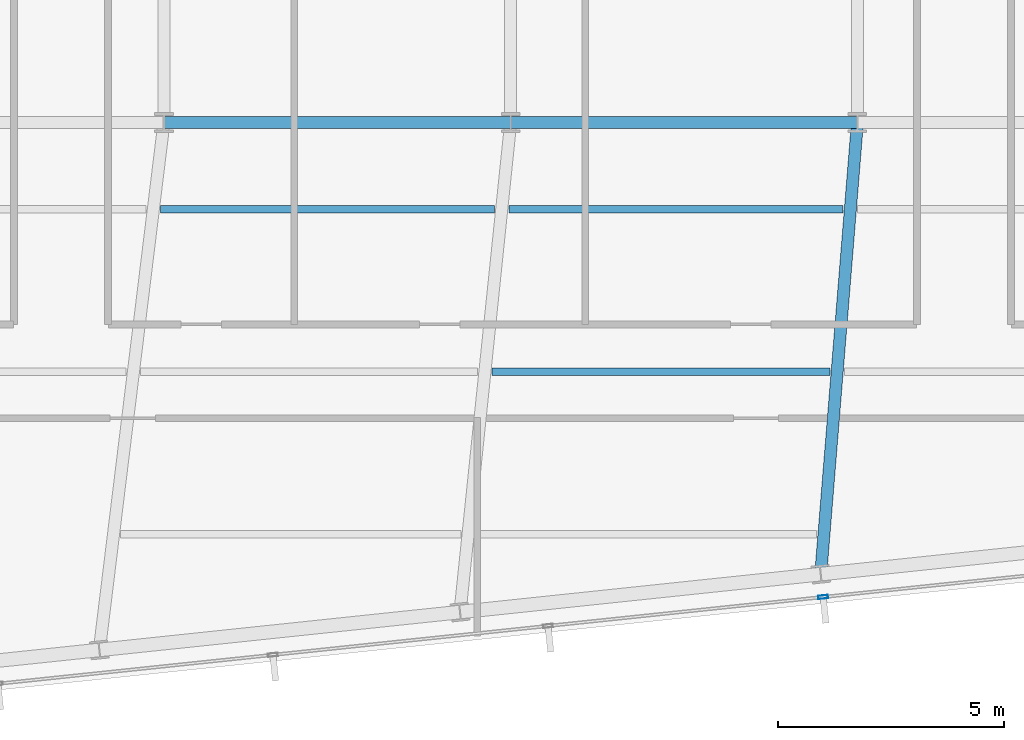
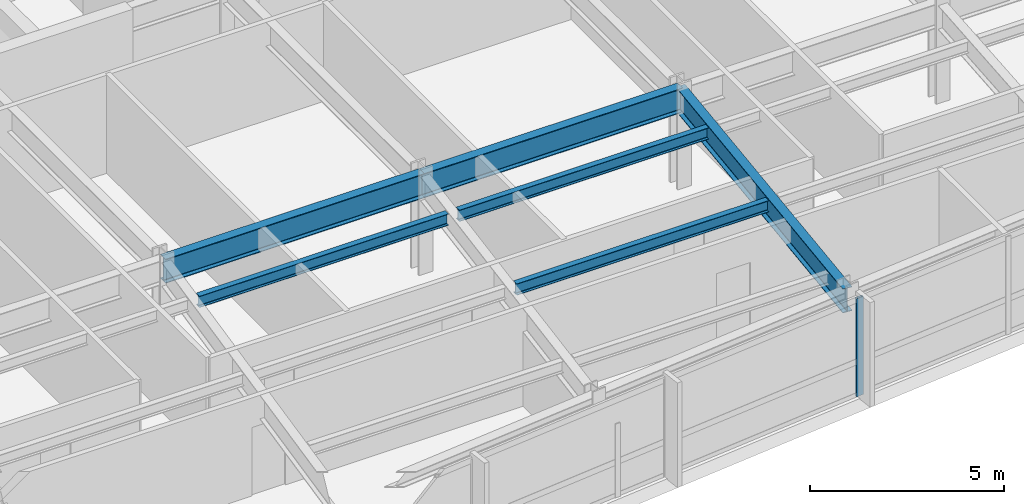
# One storey, part 5 of 26: 6 beams, 1 member, 1 element without a shape of its own.
"""IFC4 building model written with IfcOpenShell, lengths in metres."""

from ifc_helpers import new_model, si_unit, direction, frame, origin, origin_2d, place, context, subcontext, project, spatial, hollow_rectangle, i_section, extrude, material, material_profile, profile_set, type_object, element, aggregate, save


model = new_model("IFC4")

# Units and contexts
model_context = context("Model", 3, precision=1e-05, world=origin(), true_north=direction((0.0, 1.0)))
body_context = subcontext(model_context, "Body", "Model", "MODEL_VIEW")
ifc_project = project(units=[si_unit("LENGTHUNIT", "METRE"), si_unit("AREAUNIT", "SQUARE_METRE"), si_unit("VOLUMEUNIT", "CUBIC_METRE"), si_unit("PLANEANGLEUNIT", "RADIAN"), si_unit("MASSUNIT", "GRAM", prefix="KILO")], contexts=[model_context])

# Site, building, storey
site_placement = place(None, origin())
site = spatial("IfcSite", under=ifc_project, at=site_placement, CompositionType="ELEMENT")
building_placement = place(site_placement, origin())
building = spatial("IfcBuilding", under=site, at=building_placement, Name="Yelkora Congress Tower", CompositionType="ELEMENT")
storey_placement = place(building_placement, frame((0.0, 0.0, 204.5)))
storey = spatial("IfcBuildingStorey", under=building, at=storey_placement, Name="L56", CompositionType="ELEMENT", Elevation=204.5)

# Beams
ifc_material_1 = material(Name="Steel S355J2", Category="steel")
ifc_material_profile_1 = material_profile(ifc_material_1, i_section(OverallWidth=0.26708984375, OverallDepth=0.761962890625, WebThickness=0.014404296875, FlangeThickness=0.021484375, FilletRadius=0.01708984375, at=origin_2d()), Name="IPE 750x173")
ifc_profile_set_1 = profile_set([ifc_material_profile_1], Name="Steel S355J2")
beam_type_1 = type_object("IfcBeamType", Name="BM-GIRD-IPE750", PredefinedType="BEAM", material=ifc_profile_set_1)
beam_1_placement = place(storey_placement, frame((30.719970703125, 25.199951171875, 2.698974609375), z_axis=(1.0, 0.0, 0.0), x_axis=(0.0, 1.0, 0.0)))
element("IfcBeam", 1, at=beam_1_placement, inside=storey, type_object=beam_type_1, Name="L56 Spine Grid D Girder 3", PredefinedType="BEAM", context=body_context, shape_type="SweptSolid", body=[
    extrude(i_section(OverallWidth=0.26708984375, OverallDepth=0.761962890625, WebThickness=0.014404296875, FlangeThickness=0.021484375, FilletRadius=0.01708984375, at=origin_2d()), origin(), (0.0, 0.0, 1.0), 7.679931640625),
])
beam_2_placement = place(storey_placement, frame((38.39990234375, 25.199951171875, 2.698974609375), z_axis=(1.0, 0.0, 0.0), x_axis=(0.0, 1.0, 0.0)))
element("IfcBeam", 2, at=beam_2_placement, inside=storey, type_object=beam_type_1, Name="L56 Spine Grid D Girder 4", PredefinedType="BEAM", context=body_context, shape_type="SweptSolid", body=[
    extrude(i_section(OverallWidth=0.26708984375, OverallDepth=0.761962890625, WebThickness=0.014404296875, FlangeThickness=0.021484375, FilletRadius=0.01708984375, at=origin_2d()), origin(), (0.0, 0.0, 1.0), 7.68017578125),
])
beam_3_placement = place(storey_placement, frame((45.26708984375, 15.197509765625, 2.698974609375), z_axis=(0.081011831965, 0.996713139816, 0.0), x_axis=(-0.996713139816, 0.081011831965, 0.0)))
element("IfcBeam", 3, at=beam_3_placement, inside=storey, type_object=beam_type_1, Name="L56 Primary Frame Girder S04", PredefinedType="BEAM", context=body_context, shape_type="SweptSolid", body=[
    extrude(i_section(OverallWidth=0.26708984375, OverallDepth=0.761962890625, WebThickness=0.014404296875, FlangeThickness=0.021484375, FilletRadius=0.01708984375, at=origin_2d()), origin(), (0.0, 0.0, 1.0), 10.035400390625),
])
ifc_material_profile_2 = material_profile(ifc_material_1, i_section(OverallWidth=0.169921875, OverallDepth=0.360107421875, WebThickness=0.008056640625, FlangeThickness=0.0126953125, FilletRadius=0.01806640625, at=origin_2d()), Name="IPE 360")
ifc_profile_set_2 = profile_set([ifc_material_profile_2], Name="Steel S355J2")
beam_type_2 = type_object("IfcBeamType", Name="BM-JOIST-IPE360", PredefinedType="JOIST", material=ifc_profile_set_2)
beam_4_placement = place(storey_placement, frame((37.988525390625, 19.678466796875, 2.89990234375), z_axis=(1.0, 0.0, 0.0), x_axis=(0.0, 1.0, 0.0)))
element("IfcBeam", 4, at=beam_4_placement, inside=storey, type_object=beam_type_2, Name="L56 Composite Floor Joist 5", PredefinedType="JOIST", context=body_context, shape_type="SweptSolid", body=[
    extrude(i_section(OverallWidth=0.169921875, OverallDepth=0.360107421875, WebThickness=0.008056640625, FlangeThickness=0.0126953125, FilletRadius=0.01806640625, at=origin_2d()), origin(), (0.0, 0.0, 1.0), 7.482666015625),
])
beam_5_placement = place(storey_placement, frame((30.64453125, 23.278564453125, 2.89990234375), z_axis=(1.0, 0.0, 0.0), x_axis=(0.0, 1.0, 0.0)))
element("IfcBeam", 5, at=beam_5_placement, inside=storey, type_object=beam_type_2, Name="L56 Composite Floor Joist 10", PredefinedType="JOIST", context=body_context, shape_type="SweptSolid", body=[
    extrude(i_section(OverallWidth=0.169921875, OverallDepth=0.360107421875, WebThickness=0.008056640625, FlangeThickness=0.0126953125, FilletRadius=0.01806640625, at=origin_2d()), origin(), (0.0, 0.0, 1.0), 7.396484375),
])
beam_6_placement = place(storey_placement, frame((38.361083984375, 23.278564453125, 2.89990234375), z_axis=(1.0, 0.0, 0.0), x_axis=(0.0, 1.0, 0.0)))
element("IfcBeam", 6, at=beam_6_placement, inside=storey, type_object=beam_type_2, Name="L56 Composite Floor Joist 11", PredefinedType="JOIST", context=body_context, shape_type="SweptSolid", body=[
    extrude(i_section(OverallWidth=0.169921875, OverallDepth=0.360107421875, WebThickness=0.008056640625, FlangeThickness=0.0126953125, FilletRadius=0.01806640625, at=origin_2d()), origin(), (0.0, 0.0, 1.0), 7.40283203125),
])

# Curtain wall, member
ifc_material_2 = material(Name="Anodised aluminium and insulated glass", Category="aluminium")
curtain_wall_type = type_object("IfcCurtainWallType", Name="CW-SYS-SKY", PredefinedType="NOTDEFINED", material=ifc_material_2)
curtain_wall_placement = place(storey_placement, origin())
curtain_wall = element("IfcCurtainWall", 7, at=curtain_wall_placement, inside=storey, type_object=curtain_wall_type, Name="L56 Unitised Curtain Wall 20", PredefinedType="NOTDEFINED")
ifc_material_3 = material(Name="Anodised aluminium 6063-T6", Category="aluminium")
ifc_material_profile_3 = material_profile(ifc_material_3, hollow_rectangle(XDim=0.074951171875, YDim=0.219970703125, WallThickness=0.0048828125, at=origin_2d()), Name="ALU 75x220x5")
ifc_profile_set_3 = profile_set([ifc_material_profile_3], Name="Anodised aluminium 6063-T6")
member_type = type_object("IfcMemberType", Name="MEM-ML-SKY", PredefinedType="MULLION", material=ifc_profile_set_3)
member_placement = place(storey_placement, frame((45.3203125, 14.6904296875, 0.0), z_axis=(0.0, 0.0, 1.0), x_axis=(0.104526664994, -0.994522084373, 0.0)))
member = element("IfcMember", 8, at=member_placement, type_object=member_type, Name="CW-SKY mullion 5", PredefinedType="MULLION", context=body_context, shape_type="SweptSolid", body=[
    extrude(hollow_rectangle(XDim=0.074951171875, YDim=0.219970703125, WallThickness=0.0048828125, at=origin_2d()), origin(), (0.0, 0.0, 1.0), 3.080078125),
])
aggregate(curtain_wall, [member])

save(model, "model.ifc")
